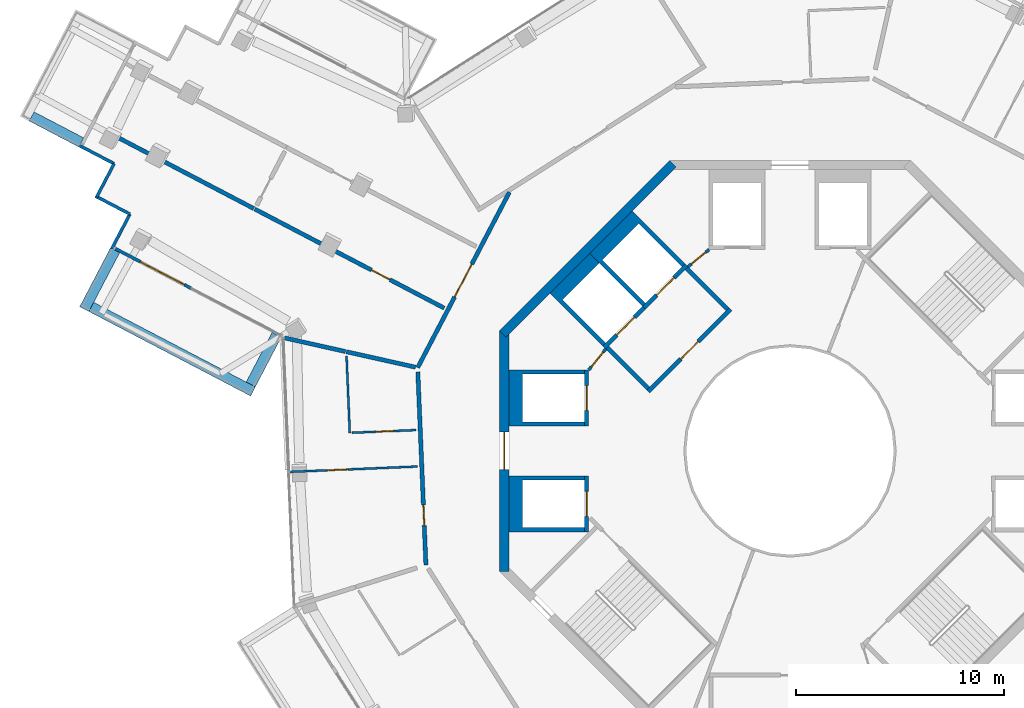
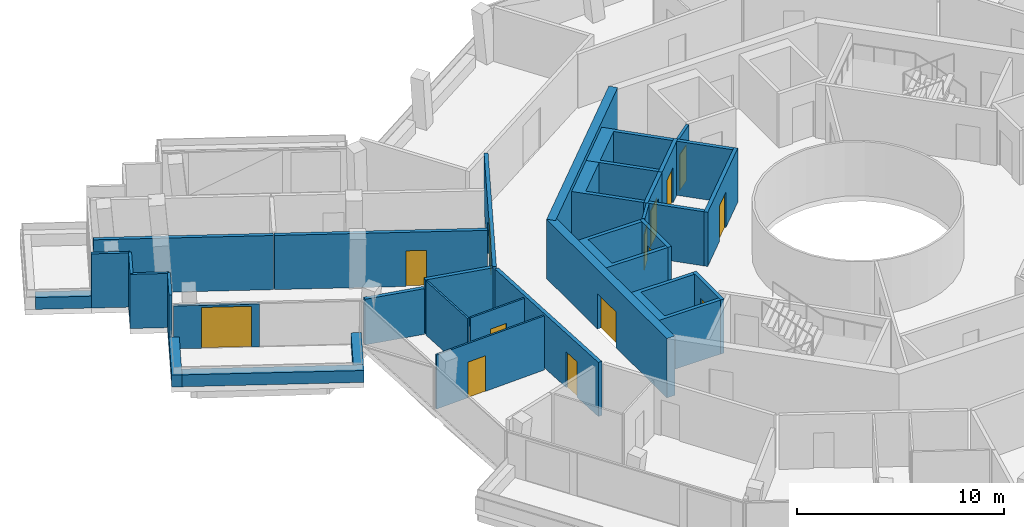
# One storey, part 17 of 23: 33 walls, 14 doors, 14 openings.
"""IFC4 building model written with IfcOpenShell, lengths in metres."""

from ifc_helpers import new_model, si_unit, direction, frame, frame_2d, origin, place, context, subcontext, project, spatial, polyline, rectangle, outline, extrude, material, layer, layer_set, type_object, element, fill, save


model = new_model("IFC4")

# Units and contexts
model_context = context("Model", 3, precision=1e-05, world=origin(), true_north=direction((0.0, 1.0)))
body_context = subcontext(model_context, "Body", "Model", "MODEL_VIEW")
ifc_project = project(units=[si_unit("LENGTHUNIT", "METRE"), si_unit("AREAUNIT", "SQUARE_METRE"), si_unit("VOLUMEUNIT", "CUBIC_METRE"), si_unit("PLANEANGLEUNIT", "RADIAN"), si_unit("MASSUNIT", "GRAM", prefix="KILO")], contexts=[model_context])

# Site, building, storey
site_placement = place(None, origin())
site = spatial("IfcSite", under=ifc_project, at=site_placement, CompositionType="ELEMENT")
building_placement = place(site_placement, origin())
building = spatial("IfcBuilding", under=site, at=building_placement, Name="Verdalira Terraces Hotel", CompositionType="ELEMENT")
storey_placement = place(building_placement, frame((0.0, 0.0, 288.0)))
storey = spatial("IfcBuildingStorey", under=building, at=storey_placement, Name="L71", CompositionType="ELEMENT", Elevation=288.0)

# Walls
ifc_material_1 = material(Name="Concrete C40", Category="concrete")
ifc_layer_1 = layer(ifc_material_1, 0.5)
ifc_layer_set_1 = layer_set([ifc_layer_1], Name="Balcony planter trough with tree")
wall_type_1 = type_object("IfcWallType", Name="Balcony planter trough with tree", PredefinedType="SOLIDWALL", material=ifc_layer_set_1)
wall_1_placement = place(storey_placement, frame((-36.543457, 16.114258, 0.0), z_axis=(0.0, 0.0, 1.0), x_axis=(0.886194214, -0.463313949, 0.0)))
element("IfcWall", 1, at=wall_1_placement, inside=storey, type_object=wall_type_1, Name="Balcony planter", PredefinedType="SOLIDWALL", context=body_context, shape_type="SweptSolid", body=[
    extrude(rectangle(XDim=2.698975, YDim=0.5, at=frame_2d((1.349609, 0.0))), origin(), (0.0, 0.0, 1.0), 0.699951),
])
wall_2_placement = place(storey_placement, frame((-32.523193, 9.666748, 0.0), z_axis=(0.0, 0.0, 1.0), x_axis=(-0.463259659, -0.886222596, 0.0)))
element("IfcWall", 2, at=wall_2_placement, inside=storey, type_object=wall_type_1, Name="Balcony planter", PredefinedType="SOLIDWALL", context=body_context, shape_type="SweptSolid", body=[
    extrude(rectangle(XDim=3.198975, YDim=0.5, at=frame_2d((1.599609, 0.0))), origin(), (0.0, 0.0, 1.0), 0.699951),
])
wall_3_placement = place(storey_placement, frame((-33.667725, 6.937744, 0.0), z_axis=(0.0, 0.0, 1.0), x_axis=(0.886200829, -0.463301295, 0.0)))
element("IfcWall", 3, at=wall_3_placement, inside=storey, type_object=wall_type_1, Name="Balcony planter", PredefinedType="SOLIDWALL", context=body_context, shape_type="SweptSolid", body=[
    extrude(rectangle(XDim=8.792236, YDim=0.5, at=frame_2d((4.395996, 0.0))), origin(), (0.0, 0.0, 1.0), 0.699951),
])
wall_4_placement = place(storey_placement, frame((-25.981689, 3.20166, 0.0), z_axis=(0.0, 0.0, 1.0), x_axis=(0.463313949, 0.886194214, 0.0)))
element("IfcWall", 4, at=wall_4_placement, inside=storey, type_object=wall_type_1, Name="Balcony planter", PredefinedType="SOLIDWALL", context=body_context, shape_type="SweptSolid", body=[
    extrude(rectangle(XDim=2.698975, YDim=0.5, at=frame_2d((1.349609, 0.0))), origin(), (0.0, 0.0, 1.0), 0.699951),
])
ifc_material_2 = material(Name="Moisture-resistant gypsum board partition")
ifc_layer_2 = layer(ifc_material_2, 0.10009765625)
ifc_layer_set_2 = layer_set([ifc_layer_2], Name="Bathroom partition 100 mm")
wall_type_2 = type_object("IfcWallType", Name="Bathroom partition 100 mm", PredefinedType="PARTITIONING", material=ifc_layer_set_2)
wall_5_placement = place(storey_placement, frame((-21.368408, 4.571533, 0.0), z_axis=(0.0, 0.0, 1.0), x_axis=(0.041855359, -0.99912368, 0.0)))
element("IfcWall", 5, at=wall_5_placement, inside=storey, type_object=wall_type_2, Name="Bathroom partition", PredefinedType="PARTITIONING", context=body_context, shape_type="SweptSolid", body=[
    extrude(rectangle(XDim=3.703857, YDim=0.100098, at=frame_2d((1.852051, 0.0))), origin(), (0.0, 0.0, 1.0), 3.189941),
])

# Wall, opening, door
wall_6_placement = place(storey_placement, frame((-24.087158, -1.009521, 0.0), z_axis=(0.0, 0.0, 1.0), x_axis=(0.999122584, 0.041881529, 0.0)))
wall_6 = element("IfcWall", 6, at=wall_6_placement, inside=storey, type_object=wall_type_2, Name="Bathroom partition", PredefinedType="PARTITIONING", context=body_context, shape_type="SweptSolid", body=[
    extrude(rectangle(XDim=6.149902, YDim=0.100098, at=frame_2d((3.074951, 0.0))), origin(), (0.0, 0.0, 1.0), 3.189941),
])
opening_1_placement = place(wall_6_placement, frame((1.800049, 0.0, 0.0)))
opening_1 = element("IfcOpeningElement", 7, at=opening_1_placement, cuts=wall_6, Name="Opening L71-106", PredefinedType="OPENING", context=body_context, shape_type="SweptSolid", body=[
    extrude(rectangle(XDim=1.0, YDim=2.100098, at=frame_2d((0.5, 1.050049))), frame((0.0, 0.060059, 0.0), z_axis=(0.0, -1.0, 0.0), x_axis=(1.0, 0.0, 0.0)), (0.0, 0.0, 1.0), 0.120117),
])
ifc_material_3 = material(Name="Timber door", Category="wood")
door_type_1 = type_object("IfcDoorType", Name="Suite internal door 1000 x 2100", OperationType="NOTDEFINED", PredefinedType="DOOR", material=ifc_material_3)
door_1_placement = place(opening_1_placement, origin())
door_1 = element("IfcDoor", 8, at=door_1_placement, inside=storey, type_object=door_type_1, Name="Suite internal door 7102", OperationType="SINGLE_SWING_LEFT", OverallHeight=2.10009765625, OverallWidth=1.0, PredefinedType="DOOR", context=body_context, shape_type="SweptSolid", body=[
    extrude(rectangle(XDim=1.0, YDim=2.100098, at=frame_2d((0.5, 1.050049))), frame((0.0, 0.024902, 0.0), z_axis=(0.0, -1.0, 0.0), x_axis=(1.0, 0.0, 0.0)), (0.0, 0.0, 1.0), 0.050049),
])
fill(opening_1, door_1)

wall_7_placement = place(storey_placement, frame((-21.113525, 0.875, 0.0), z_axis=(0.0, 0.0, 1.0), x_axis=(0.999121983, 0.041895869, 0.0)))
wall_7 = element("IfcWall", 9, at=wall_7_placement, inside=storey, type_object=wall_type_2, Name="Bathroom partition", PredefinedType="PARTITIONING", context=body_context, shape_type="SweptSolid", body=[
    extrude(rectangle(XDim=3.100098, YDim=0.100098, at=frame_2d((1.550049, 0.0))), origin(), (0.0, 0.0, 1.0), 3.189941),
])
opening_2_placement = place(wall_7_placement, frame((1.149902, 0.0, 0.0)))
opening_2 = element("IfcOpeningElement", 10, at=opening_2_placement, cuts=wall_7, Name="Opening L71-107", PredefinedType="OPENING", context=body_context, shape_type="SweptSolid", body=[
    extrude(rectangle(XDim=0.899902, YDim=2.100098, at=frame_2d((0.449951, 1.050049))), frame((0.0, 0.060059, 0.0), z_axis=(0.0, -1.0, 0.0), x_axis=(1.0, 0.0, 0.0)), (0.0, 0.0, 1.0), 0.120117),
])
ifc_material_4 = material(Name="Timber door", Category="wood")
door_type_2 = type_object("IfcDoorType", Name="Bathroom door 900 x 2100", OperationType="NOTDEFINED", PredefinedType="DOOR", material=ifc_material_4)
door_2_placement = place(opening_2_placement, origin())
door_2 = element("IfcDoor", 11, at=door_2_placement, inside=storey, type_object=door_type_2, Name="Bathroom door 7102", OperationType="SINGLE_SWING_LEFT", OverallHeight=2.10009765625, OverallWidth=0.89990234375, PredefinedType="DOOR", context=body_context, shape_type="SweptSolid", body=[
    extrude(rectangle(XDim=0.899902, YDim=2.100098, at=frame_2d((0.449951, 1.050049))), frame((0.0, 0.024902, 0.0), z_axis=(0.0, -1.0, 0.0), x_axis=(1.0, 0.0, 0.0)), (0.0, 0.0, 1.0), 0.050049),
])
fill(opening_2, door_2)

# Wall
ifc_material_5 = material(Name="Concrete C50", Category="concrete")
ifc_layer_3 = layer(ifc_material_5, 0.199951171875)
ifc_layer_set_3 = layer_set([ifc_layer_3], Name="Core RC wall 200 C50")
wall_type_3 = type_object("IfcWallType", Name="Core RC wall 200 C50", PredefinedType="SOLIDWALL", material=ifc_layer_set_3)
wall_8_placement = place(storey_placement, origin())
element("IfcWall", 12, at=wall_8_placement, inside=storey, type_object=wall_type_3, Name="L71 shaft wall W1", PredefinedType="SOLIDWALL", context=body_context, shape_type="SweptSolid", body=[
    extrude(outline(polyline([(-13.550049, 3.899902), (-9.899902, 3.899902), (-9.899902, 3.699951), (-12.899902, 3.699951), (-12.899902, 1.399902), (-9.899902, 1.399902), (-9.899902, 1.199951), (-13.550049, 1.199951), (-13.550049, 3.899902)])), origin(), (0.0, 0.0, 1.0), 3.189941),
])

# Wall, opening, door
wall_9_placement = place(storey_placement, frame((-9.800049, 1.199951, 0.0), z_axis=(0.0, 0.0, 1.0), x_axis=(0.0, 1.0, 0.0)))
wall_9 = element("IfcWall", 13, at=wall_9_placement, inside=storey, type_object=wall_type_3, Name="L71 shaft front wall W1", PredefinedType="SOLIDWALL", context=body_context, shape_type="SweptSolid", body=[
    extrude(rectangle(XDim=2.699951, YDim=0.199951, at=frame_2d((1.350098, 0.0))), origin(), (0.0, 0.0, 1.0), 3.189941),
])
opening_3_placement = place(wall_9_placement, frame((0.75, 0.0, 0.0)))
opening_3 = element("IfcOpeningElement", 14, at=opening_3_placement, cuts=wall_9, Name="Opening LD-L71-806", PredefinedType="OPENING", context=body_context, shape_type="SweptSolid", body=[
    extrude(rectangle(XDim=1.199951, YDim=2.100098, at=frame_2d((0.600098, 1.050049))), frame((0.0, 0.109863, 0.0), z_axis=(0.0, -1.0, 0.0), x_axis=(1.0, 0.0, 0.0)), (0.0, 0.0, 1.0), 0.219971),
])
ifc_material_6 = material(Name="Stainless steel", Category="steel")
door_type_3 = type_object("IfcDoorType", Name="Landing door 1200 x 2100", OperationType="NOTDEFINED", PredefinedType="DOOR", material=ifc_material_6)
door_3_placement = place(opening_3_placement, origin())
door_3 = element("IfcDoor", 15, at=door_3_placement, inside=storey, type_object=door_type_3, Name="Lift landing door HR5 L71", OperationType="DOUBLE_DOOR_SLIDING", OverallHeight=2.10009765625, OverallWidth=1.199951171875, PredefinedType="DOOR", context=body_context, shape_type="SweptSolid", body=[
    extrude(rectangle(XDim=1.199951, YDim=2.100098, at=frame_2d((0.600098, 1.050049))), frame((0.0, 0.024902, 0.0), z_axis=(0.0, -1.0, 0.0), x_axis=(1.0, 0.0, 0.0)), (0.0, 0.0, 1.0), 0.050049),
])
fill(opening_3, door_3)

# Wall
wall_10_placement = place(storey_placement, origin())
element("IfcWall", 16, at=wall_10_placement, inside=storey, type_object=wall_type_3, Name="L71 shaft wall W2", PredefinedType="SOLIDWALL", context=body_context, shape_type="SweptSolid", body=[
    extrude(outline(polyline([(-13.550049, -3.899902), (-13.550049, -1.199951), (-9.899902, -1.199951), (-9.899902, -1.399902), (-12.899902, -1.399902), (-12.899902, -3.699951), (-9.899902, -3.699951), (-9.899902, -3.899902), (-13.550049, -3.899902)])), origin(), (0.0, 0.0, 1.0), 3.189941),
])

# Wall, opening, door
wall_11_placement = place(storey_placement, frame((-9.800049, -1.199951, 0.0), z_axis=(0.0, 0.0, 1.0), x_axis=(0.0, -1.0, 0.0)))
wall_11 = element("IfcWall", 17, at=wall_11_placement, inside=storey, type_object=wall_type_3, Name="L71 shaft front wall W2", PredefinedType="SOLIDWALL", context=body_context, shape_type="SweptSolid", body=[
    extrude(rectangle(XDim=2.699951, YDim=0.199951, at=frame_2d((1.350098, 0.0))), origin(), (0.0, 0.0, 1.0), 3.189941),
])
opening_4_placement = place(wall_11_placement, frame((0.75, 0.0, 0.0)))
opening_4 = element("IfcOpeningElement", 18, at=opening_4_placement, cuts=wall_11, Name="Opening LD-L71-807", PredefinedType="OPENING", context=body_context, shape_type="SweptSolid", body=[
    extrude(rectangle(XDim=1.199951, YDim=2.100098, at=frame_2d((0.600098, 1.050049))), frame((0.0, 0.109863, 0.0), z_axis=(0.0, -1.0, 0.0), x_axis=(1.0, 0.0, 0.0)), (0.0, 0.0, 1.0), 0.219971),
])
door_4_placement = place(opening_4_placement, origin())
door_4 = element("IfcDoor", 19, at=door_4_placement, inside=storey, type_object=door_type_3, Name="Lift landing door HR6 L71", OperationType="DOUBLE_DOOR_SLIDING", OverallHeight=2.10009765625, OverallWidth=1.199951171875, PredefinedType="DOOR", context=body_context, shape_type="SweptSolid", body=[
    extrude(rectangle(XDim=1.199951, YDim=2.100098, at=frame_2d((0.600098, 1.050049))), frame((0.0, 0.024902, 0.0), z_axis=(0.0, -1.0, 0.0), x_axis=(1.0, 0.0, 0.0)), (0.0, 0.0, 1.0), 0.050049),
])
fill(opening_4, door_4)

# Wall
wall_12_placement = place(storey_placement, origin())
element("IfcWall", 20, at=wall_12_placement, inside=storey, type_object=wall_type_3, Name="L71 shaft wall F1", PredefinedType="SOLIDWALL", context=body_context, shape_type="SweptSolid", body=[
    extrude(outline(polyline([(-9.6521, 9.510498), (-7.601318, 11.561279), (-5.055908, 9.015625), (-5.197266, 8.874268), (-7.283203, 10.960205), (-9.051025, 9.192383), (-6.965088, 7.106445), (-7.106445, 6.965088), (-9.6521, 9.510498)])), origin(), (0.0, 0.0, 1.0), 3.189941),
])

# Wall, opening, door
wall_13_placement = place(storey_placement, frame((-4.985107, 8.944824, 0.0), z_axis=(0.0, 0.0, 1.0), x_axis=(-0.707106781, -0.707106781, 0.0)))
wall_13 = element("IfcWall", 21, at=wall_13_placement, inside=storey, type_object=wall_type_3, Name="L71 shaft front wall F1", PredefinedType="SOLIDWALL", context=body_context, shape_type="SweptSolid", body=[
    extrude(rectangle(XDim=2.899902, YDim=0.199951, at=frame_2d((1.449951, 0.0))), origin(), (0.0, 0.0, 1.0), 3.189941),
])
opening_5_placement = place(wall_13_placement, frame((0.850098, 0.0, 0.0)))
opening_5 = element("IfcOpeningElement", 22, at=opening_5_placement, cuts=wall_13, Name="Opening LD-L71-808", PredefinedType="OPENING", context=body_context, shape_type="SweptSolid", body=[
    extrude(rectangle(XDim=1.199951, YDim=2.100098, at=frame_2d((0.600098, 1.050049))), frame((0.0, 0.109863, 0.0), z_axis=(0.0, -1.0, 0.0), x_axis=(1.0, 0.0, 0.0)), (0.0, 0.0, 1.0), 0.219971),
])
door_5_placement = place(opening_5_placement, origin())
door_5 = element("IfcDoor", 23, at=door_5_placement, inside=storey, type_object=door_type_3, Name="Lift landing door LF11 L71", OperationType="DOUBLE_DOOR_SLIDING", OverallHeight=2.10009765625, OverallWidth=1.199951171875, PredefinedType="DOOR", context=body_context, shape_type="SweptSolid", body=[
    extrude(rectangle(XDim=1.199951, YDim=2.100098, at=frame_2d((0.600098, 1.050049))), frame((0.0, 0.024902, 0.0), z_axis=(0.0, -1.0, 0.0), x_axis=(1.0, 0.0, 0.0)), (0.0, 0.0, 1.0), 0.050049),
])
fill(opening_5, door_5)

# Wall
wall_14_placement = place(storey_placement, origin())
element("IfcWall", 24, at=wall_14_placement, inside=storey, type_object=wall_type_3, Name="L71 shaft wall F2", PredefinedType="SOLIDWALL", context=body_context, shape_type="SweptSolid", body=[
    extrude(outline(polyline([(-11.561279, 7.601318), (-9.6521, 9.510498), (-9.192383, 9.051025), (-10.960205, 7.283203), (-8.874268, 5.197266), (-9.015625, 5.055908), (-11.561279, 7.601318)])), origin(), (0.0, 0.0, 1.0), 3.189941),
])

# Wall, opening, door
wall_15_placement = place(storey_placement, frame((-7.035645, 6.894287, 0.0), z_axis=(0.0, 0.0, 1.0), x_axis=(-0.707106781, -0.707106781, 0.0)))
wall_15 = element("IfcWall", 25, at=wall_15_placement, inside=storey, type_object=wall_type_3, Name="L71 shaft front wall F2", PredefinedType="SOLIDWALL", context=body_context, shape_type="SweptSolid", body=[
    extrude(rectangle(XDim=2.699951, YDim=0.199951, at=frame_2d((1.350098, 0.0))), origin(), (0.0, 0.0, 1.0), 3.189941),
])
opening_6_placement = place(wall_15_placement, frame((0.649902, 0.0, 0.0)))
opening_6 = element("IfcOpeningElement", 26, at=opening_6_placement, cuts=wall_15, Name="Opening LD-L71-809", PredefinedType="OPENING", context=body_context, shape_type="SweptSolid", body=[
    extrude(rectangle(XDim=1.199951, YDim=2.100098, at=frame_2d((0.600098, 1.050049))), frame((0.0, 0.109863, 0.0), z_axis=(0.0, -1.0, 0.0), x_axis=(1.0, 0.0, 0.0)), (0.0, 0.0, 1.0), 0.219971),
])
door_6_placement = place(opening_6_placement, origin())
door_6 = element("IfcDoor", 27, at=door_6_placement, inside=storey, type_object=door_type_3, Name="Lift landing door LF12 L71", OperationType="DOUBLE_DOOR_SLIDING", OverallHeight=2.10009765625, OverallWidth=1.199951171875, PredefinedType="DOOR", context=body_context, shape_type="SweptSolid", body=[
    extrude(rectangle(XDim=1.199951, YDim=2.100098, at=frame_2d((0.600098, 1.050049))), frame((0.0, 0.024902, 0.0), z_axis=(0.0, -1.0, 0.0), x_axis=(1.0, 0.0, 0.0)), (0.0, 0.0, 1.0), 0.050049),
])
fill(opening_6, door_6)

wall_16_placement = place(storey_placement, frame((-2.86377, 6.823486, 0.0), z_axis=(0.0, 0.0, 1.0), x_axis=(-0.707106781, -0.707106781, 0.0)))
wall_16 = element("IfcWall", 28, at=wall_16_placement, inside=storey, type_object=wall_type_3, Name="L71 fire lobby wall", PredefinedType="SOLIDWALL", context=body_context, shape_type="SweptSolid", body=[
    extrude(rectangle(XDim=5.599854, YDim=0.199951, at=frame_2d((2.799805, 0.0))), origin(), (0.0, 0.0, 1.0), 3.189941),
])
opening_7_placement = place(wall_16_placement, frame((2.199951, 0.0, 0.0)))
opening_7 = element("IfcOpeningElement", 29, at=opening_7_placement, cuts=wall_16, Name="Opening L71-819", PredefinedType="OPENING", context=body_context, shape_type="SweptSolid", body=[
    extrude(rectangle(XDim=1.199951, YDim=2.100098, at=frame_2d((0.600098, 1.050049))), frame((0.0, 0.109863, 0.0), z_axis=(0.0, -1.0, 0.0), x_axis=(1.0, 0.0, 0.0)), (0.0, 0.0, 1.0), 0.219971),
])
ifc_material_7 = material(Name="Steel fire door", Category="steel")
door_type_4 = type_object("IfcDoorType", Name="Lobby door 1200 x 2100", OperationType="NOTDEFINED", PredefinedType="DOOR", material=ifc_material_7)
door_7_placement = place(opening_7_placement, origin())
door_7 = element("IfcDoor", 30, at=door_7_placement, inside=storey, type_object=door_type_4, Name="Fire lobby door L71", OperationType="SINGLE_SWING_LEFT", OverallHeight=2.10009765625, OverallWidth=1.199951171875, PredefinedType="DOOR", context=body_context, shape_type="SweptSolid", body=[
    extrude(rectangle(XDim=1.199951, YDim=2.100098, at=frame_2d((0.600098, 1.050049))), frame((0.0, 0.024902, 0.0), z_axis=(0.0, -1.0, 0.0), x_axis=(1.0, 0.0, 0.0)), (0.0, 0.0, 1.0), 0.050049),
])
fill(opening_7, door_7)

# Walls
for number, where, z_axis, x_axis, name in (
    (31, (-3.005127, 6.823486, 0.0), (0.0, 0.0, 1.0), (-0.707106781, 0.707106781, 0.0), "L71 fire lobby wall"),
    (32, (-6.823486, 3.005127, 0.0), (0.0, 0.0, 1.0), (-0.707106781, 0.707106781, 0.0), "L71 fire lobby wall"),
):
    element("IfcWall", number, at=place(storey_placement, frame(where, z_axis=z_axis, x_axis=x_axis)), inside=storey, type_object=wall_type_3, Name=name, PredefinedType="SOLIDWALL", context=body_context, shape_type="SweptSolid", body=[
        extrude(rectangle(XDim=2.800049, YDim=0.199951, at=frame_2d((1.399902, 0.0))), origin(), (0.0, 0.0, 1.0), 3.189941),
    ])

# Wall, opening, door
ifc_material_8 = material(Name="Gypsum board partition")
ifc_layer_4 = layer(ifc_material_8, 0.14990234375)
ifc_layer_set_4 = layer_set([ifc_layer_4], Name="Core partition 150 mm")
wall_type_4 = type_object("IfcWallType", Name="Core partition 150 mm", PredefinedType="PARTITIONING", material=ifc_layer_set_4)
wall_17_placement = place(storey_placement, frame((-3.899902, 9.699951, 0.0), z_axis=(0.0, 0.0, 1.0), x_axis=(-0.775559878, -0.631274009, 0.0)))
wall_17 = element("IfcWall", 33, at=wall_17_placement, inside=storey, type_object=wall_type_4, Name="Room partition L71", PredefinedType="PARTITIONING", context=body_context, shape_type="SweptSolid", body=[
    extrude(rectangle(XDim=1.307861, YDim=0.149902, at=frame_2d((0.653809, 0.0))), origin(), (0.0, 0.0, 1.0), 3.189941),
])
opening_8_placement = place(wall_17_placement, frame((0.204102, 0.0, 0.0)))
opening_8 = element("IfcOpeningElement", 34, at=opening_8_placement, cuts=wall_17, Name="Opening L71-820", PredefinedType="OPENING", context=body_context, shape_type="SweptSolid", body=[
    extrude(rectangle(XDim=0.899902, YDim=2.100098, at=frame_2d((0.449951, 1.050049))), frame((0.0, 0.084961, 0.0), z_axis=(0.0, -1.0, 0.0), x_axis=(1.0, 0.0, 0.0)), (0.0, 0.0, 1.0), 0.169922),
])
ifc_material_9 = material(Name="Steel fire door", Category="steel")
door_type_5 = type_object("IfcDoorType", Name="Core room door 900 x 2100", OperationType="NOTDEFINED", PredefinedType="DOOR", material=ifc_material_9)
door_8_placement = place(opening_8_placement, origin())
door_8 = element("IfcDoor", 35, at=door_8_placement, inside=storey, type_object=door_type_5, Name="Door L71 room2", OperationType="SINGLE_SWING_LEFT", OverallHeight=2.10009765625, OverallWidth=0.89990234375, PredefinedType="DOOR", context=body_context, shape_type="SweptSolid", body=[
    extrude(rectangle(XDim=0.899902, YDim=2.100098, at=frame_2d((0.449951, 1.050049))), frame((0.0, 0.024902, 0.0), z_axis=(0.0, -1.0, 0.0), x_axis=(1.0, 0.0, 0.0)), (0.0, 0.0, 1.0), 0.050049),
])
fill(opening_8, door_8)

wall_18_placement = place(storey_placement, frame((-8.874268, 4.914307, 0.0), z_axis=(0.0, 0.0, 1.0), x_axis=(-0.631274009, -0.775559878, 0.0)))
wall_18 = element("IfcWall", 36, at=wall_18_placement, inside=storey, type_object=wall_type_4, Name="Room partition L71", PredefinedType="PARTITIONING", context=body_context, shape_type="SweptSolid", body=[
    extrude(rectangle(XDim=1.307861, YDim=0.149902, at=frame_2d((0.653809, 0.0))), origin(), (0.0, 0.0, 1.0), 3.189941),
])
opening_9_placement = place(wall_18_placement, frame((0.204102, 0.0, 0.0)))
opening_9 = element("IfcOpeningElement", 37, at=opening_9_placement, cuts=wall_18, Name="Opening L71-821", PredefinedType="OPENING", context=body_context, shape_type="SweptSolid", body=[
    extrude(rectangle(XDim=0.899902, YDim=2.100098, at=frame_2d((0.449951, 1.050049))), frame((0.0, 0.084961, 0.0), z_axis=(0.0, -1.0, 0.0), x_axis=(1.0, 0.0, 0.0)), (0.0, 0.0, 1.0), 0.169922),
])
door_9_placement = place(opening_9_placement, origin())
door_9 = element("IfcDoor", 38, at=door_9_placement, inside=storey, type_object=door_type_5, Name="Door L71 room3", OperationType="SINGLE_SWING_LEFT", OverallHeight=2.10009765625, OverallWidth=0.89990234375, PredefinedType="DOOR", context=body_context, shape_type="SweptSolid", body=[
    extrude(rectangle(XDim=0.899902, YDim=2.100098, at=frame_2d((0.449951, 1.050049))), frame((0.0, 0.024902, 0.0), z_axis=(0.0, -1.0, 0.0), x_axis=(1.0, 0.0, 0.0)), (0.0, 0.0, 1.0), 0.050049),
])
fill(opening_9, door_9)

# Wall
ifc_material_10 = material(Name="Concrete C50", Category="concrete")
ifc_layer_5 = layer(ifc_material_10, 0.449951171875)
ifc_layer_set_5 = layer_set([ifc_layer_5], Name="Core wall 450 C50")
wall_type_5 = type_object("IfcWallType", Name="Core wall 450 C50", PredefinedType="SHEAR", material=ifc_layer_set_5)
wall_19_placement = place(storey_placement, frame((-5.639893, 13.84082, 0.0), z_axis=(0.0, 0.0, 1.0), x_axis=(-0.707106781, -0.707106781, 0.0)))
element("IfcWall", 39, at=wall_19_placement, inside=storey, type_object=wall_type_5, Name="Core wall CW-L71-4", PredefinedType="SHEAR", context=body_context, shape_type="SweptSolid", body=[
    extrude(rectangle(XDim=11.5979, YDim=0.449951, at=frame_2d((5.798828, 0.0))), origin(), (0.0, 0.0, 1.0), 3.5),
])

# Wall, opening, door
wall_20_placement = place(storey_placement, frame((-13.774902, 5.799072, 0.0), z_axis=(0.0, 0.0, 1.0), x_axis=(0.0, -1.0, 0.0)))
wall_20 = element("IfcWall", 40, at=wall_20_placement, inside=storey, type_object=wall_type_5, Name="Core wall CW-L71-5", PredefinedType="SHEAR", context=body_context, shape_type="SweptSolid", body=[
    extrude(rectangle(XDim=11.598145, YDim=0.449951, at=frame_2d((5.799072, 0.0))), origin(), (0.0, 0.0, 1.0), 3.5),
])
opening_10_placement = place(wall_20_placement, frame((4.898926, 0.0, 0.0)))
opening_10 = element("IfcOpeningElement", 41, at=opening_10_placement, cuts=wall_20, Name="Opening L71-815", PredefinedType="OPENING", context=body_context, shape_type="SweptSolid", body=[
    extrude(rectangle(XDim=1.800049, YDim=2.100098, at=frame_2d((0.899902, 1.050049))), frame((0.0, 0.234863, 0.0), z_axis=(0.0, -1.0, 0.0), x_axis=(1.0, 0.0, 0.0)), (0.0, 0.0, 1.0), 0.469971),
])
ifc_material_11 = material(Name="Steel fire door", Category="steel")
door_type_6 = type_object("IfcDoorType", Name="Core entry door pair 1800 x 2100", OperationType="NOTDEFINED", PredefinedType="DOOR", material=ifc_material_11)
door_10_placement = place(opening_10_placement, origin())
door_10 = element("IfcDoor", 42, at=door_10_placement, inside=storey, type_object=door_type_6, Name="Core entry door L71 4", OperationType="DOUBLE_DOOR_SINGLE_SWING", OverallHeight=2.10009765625, OverallWidth=1.800048828125, PredefinedType="DOOR", context=body_context, shape_type="SweptSolid", body=[
    extrude(rectangle(XDim=1.800049, YDim=2.100098, at=frame_2d((0.899902, 1.050049))), frame((0.0, 0.024902, 0.0), z_axis=(0.0, -1.0, 0.0), x_axis=(1.0, 0.0, 0.0)), (0.0, 0.0, 1.0), 0.050049),
])
fill(opening_10, door_10)

# Wall
ifc_material_12 = material(Name="Fire-rated gypsum board wall")
ifc_layer_6 = layer(ifc_material_12, 0.199951171875)
ifc_layer_set_6 = layer_set([ifc_layer_6], Name="Demising wall 200 mm")
wall_type_6 = type_object("IfcWallType", Name="Demising wall 200 mm", PredefinedType="SOLIDWALL", material=ifc_layer_set_6)
wall_21_placement = place(storey_placement, frame((-33.541504, 15.705078, 0.0), z_axis=(0.0, 0.0, 1.0), x_axis=(0.88621706, -0.463270249, 0.0)))
element("IfcWall", 43, at=wall_21_placement, inside=storey, type_object=wall_type_6, Name="Demising wall", PredefinedType="SOLIDWALL", context=body_context, shape_type="SweptSolid", body=[
    extrude(rectangle(XDim=8.694336, YDim=0.199951, at=frame_2d((4.347168, 0.0))), origin(), (0.0, 0.0, 1.0), 3.189941),
])

# Wall, opening, door
wall_22_placement = place(storey_placement, frame((-16.666016, 6.883057, 0.0), z_axis=(0.0, 0.0, 1.0), x_axis=(-0.886200014, 0.463302855, 0.0)))
wall_22 = element("IfcWall", 44, at=wall_22_placement, inside=storey, type_object=wall_type_6, Name="Demising wall", PredefinedType="SOLIDWALL", context=body_context, shape_type="SweptSolid", body=[
    extrude(rectangle(XDim=10.302002, YDim=0.199951, at=frame_2d((5.150879, 0.0))), origin(), (0.0, 0.0, 1.0), 3.189941),
])
opening_11_placement = place(wall_22_placement, frame((2.949951, 0.0, 0.0)))
opening_11 = element("IfcOpeningElement", 45, at=opening_11_placement, cuts=wall_22, Name="Opening L71-103", PredefinedType="OPENING", context=body_context, shape_type="SweptSolid", body=[
    extrude(rectangle(XDim=1.0, YDim=2.100098, at=frame_2d((0.5, 1.050049))), frame((0.0, 0.109863, 0.0), z_axis=(0.0, -1.0, 0.0), x_axis=(1.0, 0.0, 0.0)), (0.0, 0.0, 1.0), 0.219971),
])
ifc_material_13 = material(Name="Timber fire door", Category="wood")
door_type_7 = type_object("IfcDoorType", Name="Public room door 1000 x 2100", OperationType="NOTDEFINED", PredefinedType="DOOR", material=ifc_material_13)
door_11_placement = place(opening_11_placement, origin())
door_11 = element("IfcDoor", 46, at=door_11_placement, inside=storey, type_object=door_type_7, Name="Public room door 7101", OperationType="SINGLE_SWING_LEFT", OverallHeight=2.10009765625, OverallWidth=1.0, PredefinedType="DOOR", context=body_context, shape_type="SweptSolid", body=[
    extrude(rectangle(XDim=1.0, YDim=2.100098, at=frame_2d((0.5, 1.050049))), frame((0.0, 0.024902, 0.0), z_axis=(0.0, -1.0, 0.0), x_axis=(1.0, 0.0, 0.0)), (0.0, 0.0, 1.0), 0.050049),
])
fill(opening_11, door_11)

# Walls
wall_23_placement = place(storey_placement, frame((-18.042969, 4.033203, 0.0), z_axis=(0.0, 0.0, 1.0), x_axis=(-0.975924202, 0.218109953, 0.0)))
element("IfcWall", 47, at=wall_23_placement, inside=storey, type_object=wall_type_6, Name="Demising wall", PredefinedType="SOLIDWALL", context=body_context, shape_type="SweptSolid", body=[
    extrude(rectangle(XDim=3.418457, YDim=0.199951, at=frame_2d((1.709229, 0.0))), origin(), (0.0, 0.0, 1.0), 3.189941),
])
ifc_material_14 = material(Name="Fire-rated gypsum board wall")
ifc_layer_7 = layer(ifc_material_14, 0.199951171875)
ifc_layer_set_7 = layer_set([ifc_layer_7], Name="Demising wall 200 mm to beam soffit")
wall_type_7 = type_object("IfcWallType", Name="Demising wall 200 mm to beam soffit", PredefinedType="SOLIDWALL", material=ifc_layer_set_7)
wall_24_placement = place(storey_placement, frame((-21.424072, 4.788818, 0.0), z_axis=(0.0, 0.0, 1.0), x_axis=(-0.975909655, 0.218175034, 0.0)))
element("IfcWall", 48, at=wall_24_placement, inside=storey, type_object=wall_type_7, Name="Demising wall", PredefinedType="SOLIDWALL", context=body_context, shape_type="SweptSolid", body=[
    extrude(rectangle(XDim=3.01123, YDim=0.199951, at=frame_2d((1.505615, 0.0))), origin(), (0.0, 0.0, 1.0), 2.689941),
])

# Wall, opening, door
ifc_material_15 = material(Name="Fire-rated gypsum board wall")
ifc_layer_8 = layer(ifc_material_15, 0.199951171875)
ifc_layer_set_8 = layer_set([ifc_layer_8], Name="Guest corridor wall 200 mm")
wall_type_8 = type_object("IfcWallType", Name="Guest corridor wall 200 mm", PredefinedType="SOLIDWALL", material=ifc_layer_set_8)
wall_25_placement = place(storey_placement, frame((-17.543457, -5.497803, 0.0), z_axis=(0.0, 0.0, 1.0), x_axis=(-0.041874694, 0.99912287, 0.0)))
wall_25 = element("IfcWall", 49, at=wall_25_placement, inside=storey, type_object=wall_type_8, Name="Guest corridor wall", PredefinedType="SOLIDWALL", context=body_context, shape_type="SweptSolid", body=[
    extrude(rectangle(XDim=9.31665, YDim=0.199951, at=frame_2d((4.658203, 0.0))), origin(), (0.0, 0.0, 1.0), 3.189941),
])
opening_12_placement = place(wall_25_placement, frame((1.899902, 0.0, 0.0)))
opening_12 = element("IfcOpeningElement", 50, at=opening_12_placement, cuts=wall_25, Name="Opening L71-105", PredefinedType="OPENING", context=body_context, shape_type="SweptSolid", body=[
    extrude(rectangle(XDim=1.0, YDim=2.100098, at=frame_2d((0.5, 1.050049))), frame((0.0, 0.109863, 0.0), z_axis=(0.0, -1.0, 0.0), x_axis=(1.0, 0.0, 0.0)), (0.0, 0.0, 1.0), 0.219971),
])
ifc_material_16 = material(Name="Timber fire door", Category="wood")
door_type_8 = type_object("IfcDoorType", Name="Guest entry door 1000 x 2100", OperationType="NOTDEFINED", PredefinedType="DOOR", material=ifc_material_16)
door_12_placement = place(opening_12_placement, origin())
door_12 = element("IfcDoor", 51, at=door_12_placement, inside=storey, type_object=door_type_8, Name="Guest entry door 7102", OperationType="SINGLE_SWING_LEFT", OverallHeight=2.10009765625, OverallWidth=1.0, PredefinedType="DOOR", context=body_context, shape_type="SweptSolid", body=[
    extrude(rectangle(XDim=1.0, YDim=2.100098, at=frame_2d((0.5, 1.050049))), frame((0.0, 0.024902, 0.0), z_axis=(0.0, -1.0, 0.0), x_axis=(1.0, 0.0, 0.0)), (0.0, 0.0, 1.0), 0.050049),
])
fill(opening_12, door_12)

wall_26_placement = place(storey_placement, frame((-17.941895, 4.010498, 0.0), z_axis=(0.0, 0.0, 1.0), x_axis=(0.463289395, 0.88620705, 0.0)))
wall_26 = element("IfcWall", 52, at=wall_26_placement, inside=storey, type_object=wall_type_8, Name="Guest corridor wall", PredefinedType="SOLIDWALL", context=body_context, shape_type="SweptSolid", body=[
    extrude(rectangle(XDim=9.536621, YDim=0.199951, at=frame_2d((4.768311, 0.0))), origin(), (0.0, 0.0, 1.0), 3.189941),
])
opening_13_placement = place(wall_26_placement, frame((3.836914, 0.0, 0.0)))
opening_13 = element("IfcOpeningElement", 53, at=opening_13_placement, cuts=wall_26, Name="Opening L71-101", PredefinedType="OPENING", context=body_context, shape_type="SweptSolid", body=[
    extrude(rectangle(XDim=1.800049, YDim=2.100098, at=frame_2d((0.899902, 1.050049))), frame((0.0, 0.109863, 0.0), z_axis=(0.0, -1.0, 0.0), x_axis=(1.0, 0.0, 0.0)), (0.0, 0.0, 1.0), 0.219971),
])
ifc_material_17 = material(Name="Timber fire door", Category="wood")
door_type_9 = type_object("IfcDoorType", Name="Public room double door 1800 x 2100", OperationType="NOTDEFINED", PredefinedType="DOOR", material=ifc_material_17)
door_13_placement = place(opening_13_placement, origin())
door_13 = element("IfcDoor", 54, at=door_13_placement, inside=storey, type_object=door_type_9, Name="Public room double door 7101", OperationType="DOUBLE_DOOR_SINGLE_SWING", OverallHeight=2.10009765625, OverallWidth=1.800048828125, PredefinedType="DOOR", context=body_context, shape_type="SweptSolid", body=[
    extrude(rectangle(XDim=1.800049, YDim=2.100098, at=frame_2d((0.899902, 1.050049))), frame((0.0, 0.024902, 0.0), z_axis=(0.0, -1.0, 0.0), x_axis=(1.0, 0.0, 0.0)), (0.0, 0.0, 1.0), 0.050049),
])
fill(opening_13, door_13)

# Walls
ifc_material_18 = material(Name="Terracotta cladding", Category="masonry")
ifc_layer_9 = layer(ifc_material_18, 0.14990234375)
ifc_layer_set_9 = layer_set([ifc_layer_9], Name="Terracotta clad wall 150")
wall_type_9 = type_object("IfcWallType", Name="Terracotta clad wall 150", PredefinedType="SOLIDWALL", material=ifc_layer_set_9)
wall_27_placement = place(storey_placement, frame((-34.231934, 14.708252, 0.0), z_axis=(0.0, 0.0, 1.0), x_axis=(0.886208434, -0.463286748, 0.0)))
element("IfcWall", 55, at=wall_27_placement, inside=storey, type_object=wall_type_9, Name="Terracotta cladding wall", PredefinedType="SOLIDWALL", context=body_context, shape_type="SweptSolid", body=[
    extrude(rectangle(XDim=1.875, YDim=0.149902, at=frame_2d((0.9375, 0.0))), origin(), (0.0, 0.0, 1.0), 3.189941),
])
wall_28_placement = place(storey_placement, frame((-32.570312, 13.8396, 0.0), z_axis=(0.0, 0.0, 1.0), x_axis=(-0.46330747, -0.886197601, 0.0)))
element("IfcWall", 56, at=wall_28_placement, inside=storey, type_object=wall_type_9, Name="Terracotta cladding wall", PredefinedType="SOLIDWALL", context=body_context, shape_type="SweptSolid", body=[
    extrude(rectangle(XDim=1.800049, YDim=0.149902, at=frame_2d((0.899902, 0.0))), origin(), (0.0, 0.0, 1.0), 3.189941),
])
for number, where, z_axis, x_axis, name in (
    (57, (-33.470703, 12.279053, 0.0), (0.0, 0.0, 1.0), (0.886208434, -0.463286748, 0.0), "Terracotta cladding wall"),
    (58, (-31.809082, 11.4104, 0.0), (0.0, 0.0, 1.0), (-0.463286748, -0.886208434, 0.0), "Terracotta cladding wall"),
):
    element("IfcWall", number, at=place(storey_placement, frame(where, z_axis=z_axis, x_axis=x_axis)), inside=storey, type_object=wall_type_9, Name=name, PredefinedType="SOLIDWALL", context=body_context, shape_type="SweptSolid", body=[
        extrude(rectangle(XDim=1.875, YDim=0.149902, at=frame_2d((0.9375, 0.0))), origin(), (0.0, 0.0, 1.0), 3.189941),
    ])

# Wall, opening, door
ifc_material_19 = material(Name="Terracotta cladding", Category="masonry")
ifc_layer_10 = layer(ifc_material_19, 0.14990234375)
ifc_layer_set_10 = layer_set([ifc_layer_10], Name="Terracotta door pier 150")
wall_type_10 = type_object("IfcWallType", Name="Terracotta door pier 150", PredefinedType="SOLIDWALL", material=ifc_layer_set_10)
wall_29_placement = place(storey_placement, frame((-32.514404, 9.748047, 0.0), z_axis=(0.0, 0.0, 1.0), x_axis=(0.886205729, -0.463291922, 0.0)))
wall_29 = element("IfcWall", 59, at=wall_29_placement, inside=storey, type_object=wall_type_10, Name="Terracotta door pier", PredefinedType="SOLIDWALL", context=body_context, shape_type="SweptSolid", body=[
    extrude(rectangle(XDim=4.159912, YDim=0.149902, at=frame_2d((2.080078, 0.0))), origin(), (0.0, 0.0, 1.0), 2.524902),
])
opening_14_placement = place(wall_29_placement, frame((1.360107, 0.0, 0.0)))
opening_14 = element("IfcOpeningElement", 60, at=opening_14_placement, cuts=wall_29, Name="Opening L71-B03", PredefinedType="OPENING", context=body_context, shape_type="SweptSolid", body=[
    extrude(rectangle(XDim=2.399902, YDim=2.399902, at=frame_2d((1.199951, 1.199951))), frame((0.0, 0.084961, 0.0), z_axis=(0.0, -1.0, 0.0), x_axis=(1.0, 0.0, 0.0)), (0.0, 0.0, 1.0), 0.169922),
])
ifc_material_20 = material(Name="Clear glass", Category="glass")
door_type_10 = type_object("IfcDoorType", Name="Balcony sliding door 2400x2400", OperationType="NOTDEFINED", PredefinedType="DOOR", material=ifc_material_20)
door_14_placement = place(opening_14_placement, origin())
door_14 = element("IfcDoor", 61, at=door_14_placement, inside=storey, type_object=door_type_10, Name="Balcony sliding door", OperationType="SLIDING_TO_LEFT", OverallHeight=2.39990234375, OverallWidth=2.39990234375, PredefinedType="DOOR", context=body_context, shape_type="SweptSolid", body=[
    extrude(rectangle(XDim=2.399902, YDim=2.399902, at=frame_2d((1.199951, 1.199951))), frame((0.0, 0.024902, 0.0), z_axis=(0.0, -1.0, 0.0), x_axis=(1.0, 0.0, 0.0)), (0.0, 0.0, 1.0), 0.050049),
])
fill(opening_14, door_14)

save(model, "model.ifc")
